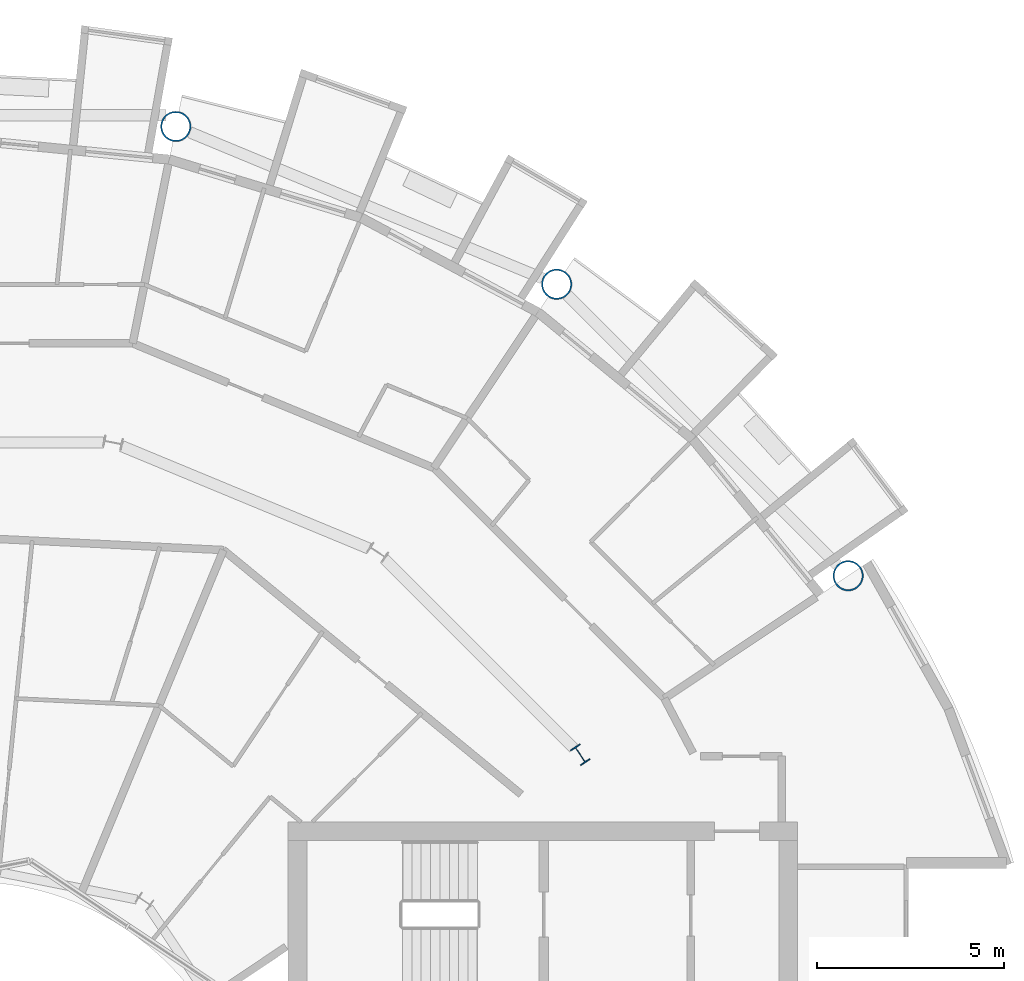
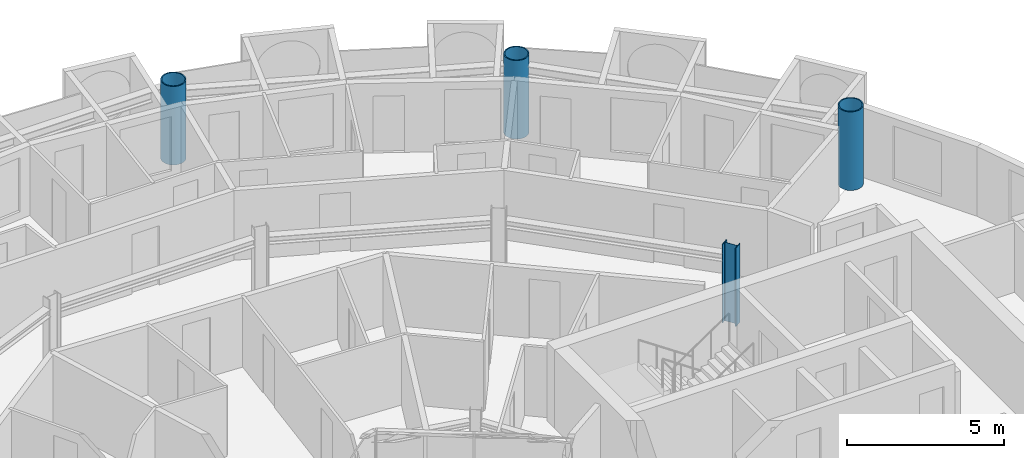
# One storey, part 4 of 27: 4 columns.
"""IFC4 building model written with IfcOpenShell, lengths in metres."""

from ifc_helpers import new_model, si_unit, direction, frame, origin, origin_2d, place, context, subcontext, project, spatial, hollow_circle, i_section, extrude, material, material_profile, profile_set, type_object, element, save


model = new_model("IFC4")

# Units and contexts
model_context = context("Model", 3, precision=1e-05, world=origin(), true_north=direction((0.0, 1.0)))
body_context = subcontext(model_context, "Body", "Model", "MODEL_VIEW")
ifc_project = project(units=[si_unit("LENGTHUNIT", "METRE"), si_unit("AREAUNIT", "SQUARE_METRE"), si_unit("VOLUMEUNIT", "CUBIC_METRE"), si_unit("PLANEANGLEUNIT", "RADIAN"), si_unit("MASSUNIT", "GRAM", prefix="KILO")], contexts=[model_context])

# Site, building, storey
site_placement = place(None, origin())
site = spatial("IfcSite", under=ifc_project, at=site_placement, CompositionType="ELEMENT")
building_placement = place(site_placement, origin())
building = spatial("IfcBuilding", under=site, at=building_placement, Name="Maasbend Ring Residences", CompositionType="ELEMENT")
storey_placement = place(building_placement, frame((0.0, 0.0, 167.699951171875)))
storey = spatial("IfcBuildingStorey", under=building, at=storey_placement, Name="L48", CompositionType="ELEMENT", Elevation=167.699951171875)

# Columns
ifc_material_1 = material(Name="Composite concrete-filled steel tube S460NH / C80/95", Category="concrete")
ifc_material_profile_1 = material_profile(ifc_material_1, hollow_circle(Radius=0.406494140625, WallThickness=0.0400390625, at=origin_2d()), Name="Composite tube column CHS 813x40")
ifc_profile_set_1 = profile_set([ifc_material_profile_1], Name="Composite concrete-filled steel tube S460NH / C80/95")
column_type_1 = type_object("IfcColumnType", Name="Composite tube column CHS 813x40", PredefinedType="COLUMN", material=ifc_profile_set_1)
for number, where, z_axis, x_axis, name in (
    (1, (23.447509765625, 15.6669921875, 0.0), (0.0, 0.0, 1.0), (1.0, 0.0, 0.0), "Outer column R2"),
    (2, (15.6669921875, 23.447509765625, 0.0), (0.0, 0.0, 1.0), (1.0, 0.0, 0.0), "Outer column R3"),
    (3, (5.50146484375, 27.658203125, 0.0), (0.0, 0.0, 1.0), (1.0, 0.0, 0.0), "Outer column R4"),
):
    element("IfcColumn", number, at=place(storey_placement, frame(where, z_axis=z_axis, x_axis=x_axis)), inside=storey, type_object=column_type_1, Name=name, PredefinedType="COLUMN", context=body_context, shape_type="SweptSolid", body=[
        extrude(hollow_circle(Radius=0.406494140625, WallThickness=0.0400390625, at=origin_2d()), origin(), (0.0, 0.0, 1.0), 3.050048828125),
    ])
ifc_material_2 = material(Name="Steel S355J2", Category="steel")
ifc_material_profile_2 = material_profile(ifc_material_2, i_section(OverallWidth=0.300048828125, OverallDepth=0.5, WebThickness=0.014404296875, FlangeThickness=0.028076171875, FilletRadius=0.027099609375, at=origin_2d()), Name="HEB 500")
ifc_profile_set_2 = profile_set([ifc_material_profile_2], Name="Steel S355J2")
column_type_2 = type_object("IfcColumnType", Name="Steel column HEB 500", PredefinedType="COLUMN", material=ifc_profile_set_2)
column_placement = place(storey_placement, frame((16.296875, 10.88916015625, 0.0), z_axis=(0.0, 0.0, 1.0), x_axis=(0.831469612303, 0.55557023302, 0.0)))
element("IfcColumn", 4, at=column_placement, inside=storey, type_object=column_type_2, Name="Corridor ring column R2", PredefinedType="COLUMN", context=body_context, shape_type="SweptSolid", body=[
    extrude(i_section(OverallWidth=0.300048828125, OverallDepth=0.5, WebThickness=0.014404296875, FlangeThickness=0.028076171875, FilletRadius=0.027099609375, at=origin_2d()), origin(), (0.0, 0.0, 1.0), 3.050048828125),
])

save(model, "model.ifc")
